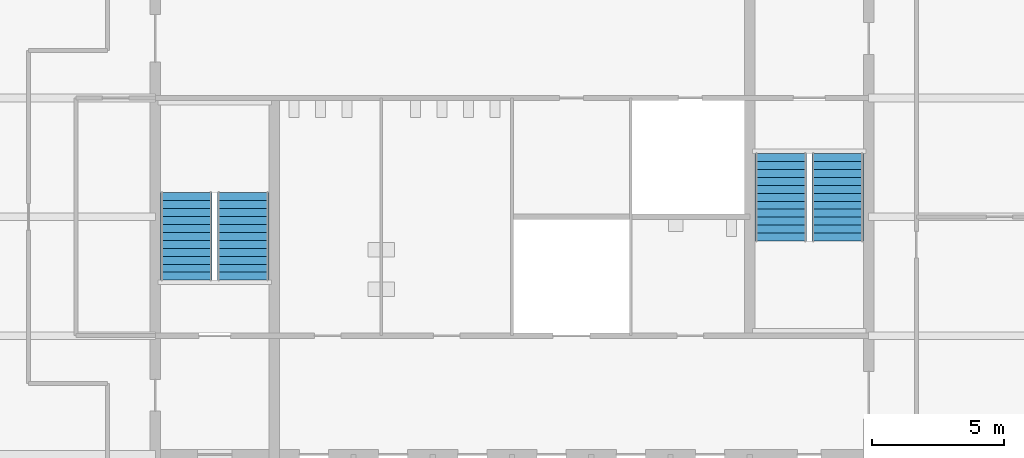
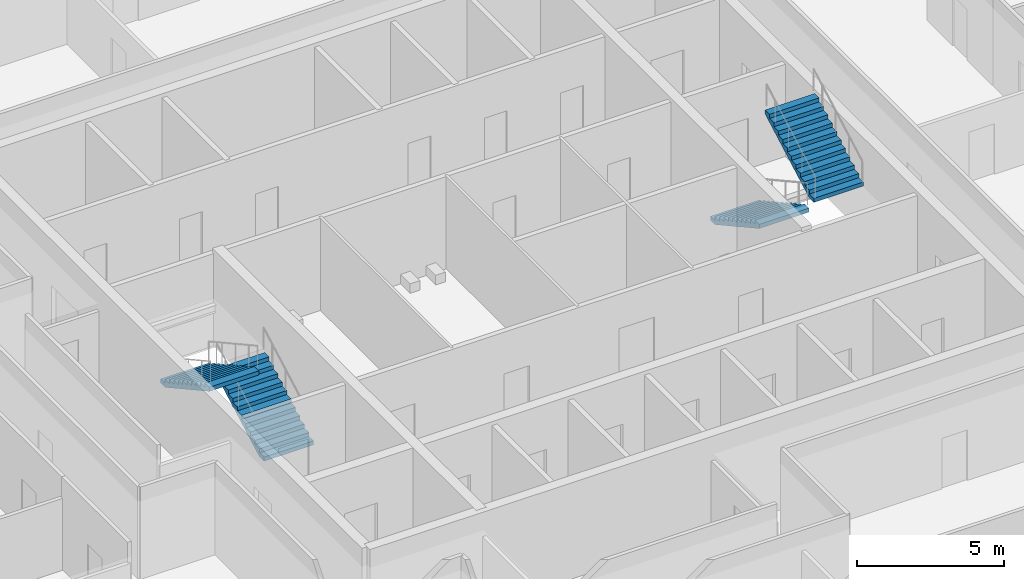
# One storey, part 12 of 14: 4 stair flights, 2 elements without a shape of their own.
"""IFC4 building model written with IfcOpenShell, lengths in metres."""

import ifcopenshell
import ifcopenshell.guid

model = None  # the IFC model being written
_history = None  # IfcOwnerHistory: only IFC2X3 demands one
_inside = {}  # id of a spatial element -> (the spatial element, [elements in it])
_under = {}  # id of a project, library or spatial element -> (it, [spatial elements below it])
_declared = {}  # id of a project -> (the project, [libraries it declares])
_typed = {}  # id of a type object -> (the type object, [elements of that type])
_made_of = {}  # id of a material, layer set ... -> (it, [elements and type objects made of it])


def new_model(schema):
    """Start an empty IFC model of exactly this schema.

    Asked for "IFC4X3", IfcOpenShell would pick the latest addendum, in which some entities
    have other attributes; the version numbers below select the first issue.
    IFC2X3 requires an IfcOwnerHistory on every rooted entity: one is made here for all.
    """
    global model, _history
    if schema == "IFC4X3":
        model = ifcopenshell.file(schema_version=(4, 3, 0, 0))
    else:
        model = ifcopenshell.file(schema=schema)
    _inside.clear()
    _under.clear()
    _declared.clear()
    _typed.clear()
    _made_of.clear()
    _history = None
    if model.schema == "IFC2X3":
        org = make("IfcOrganization", Name="unknown")
        user = make(
            "IfcPersonAndOrganization",
            ThePerson=make("IfcPerson", FamilyName="unknown"),
            TheOrganization=org,
        )
        app = make(
            "IfcApplication",
            ApplicationDeveloper=org,
            Version="unknown",
            ApplicationFullName="unknown",
            ApplicationIdentifier="unknown",
        )
        _history = make(
            "IfcOwnerHistory",
            OwningUser=user,
            OwningApplication=app,
            ChangeAction="ADDED",
            CreationDate=0,
        )
    return model


def make(cls, **values):
    """One entity of the class cls with the attributes given. An attribute that is None is left unset."""
    return model.create_entity(
        cls, **{name: value for name, value in values.items() if value is not None}
    )


def rooted(cls, **values):
    """An entity with a GlobalId (a new one), such as an element, a storey or a relation."""
    return make(cls, GlobalId=ifcopenshell.guid.new(), OwnerHistory=_history, **values)


def si_unit(unit_type, name, prefix=None):
    """IfcSIUnit, for example si_unit("LENGTHUNIT", "METRE", prefix="MILLI")."""
    return make("IfcSIUnit", UnitType=unit_type, Prefix=prefix, Name=name)


def assignment(units):
    """IfcUnitAssignment: the units of a project."""
    return None if units is None else make("IfcUnitAssignment", Units=units)


def point(xyz):
    """IfcCartesianPoint."""
    return None if xyz is None else make("IfcCartesianPoint", Coordinates=xyz)


def direction(xyz):
    """IfcDirection."""
    return None if xyz is None else make("IfcDirection", DirectionRatios=xyz)


def frame(location, z_axis=None, x_axis=None):
    """IfcAxis2Placement3D, a coordinate frame: its origin and axes. An axis left out is left unset."""
    return make(
        "IfcAxis2Placement3D",
        Location=point(location),
        Axis=direction(z_axis),
        RefDirection=direction(x_axis),
    )


def origin():
    """The frame at (0, 0, 0) with its axes left unset."""
    return frame((0.0, 0.0, 0.0))


def place(relative_to, where):
    """IfcLocalPlacement: puts the frame where relative to a parent placement (None: the world)."""
    return make(
        "IfcLocalPlacement", PlacementRelTo=relative_to, RelativePlacement=where
    )


def context(
    kind, dimensions, precision=None, world=None, true_north=None, identifier=None
):
    """IfcGeometricRepresentationContext, for example the 3D "Model" context."""
    return make(
        "IfcGeometricRepresentationContext",
        ContextIdentifier=identifier,
        ContextType=kind,
        CoordinateSpaceDimension=dimensions,
        Precision=precision,
        WorldCoordinateSystem=world,
        TrueNorth=true_north,
    )


def subcontext(parent, identifier, kind, view, scale=None):
    """IfcGeometricRepresentationSubContext, for example "Body" below "Model"."""
    return make(
        "IfcGeometricRepresentationSubContext",
        ContextIdentifier=identifier,
        ContextType=kind,
        ParentContext=parent,
        TargetScale=scale,
        TargetView=view,
    )


def project(units=None, contexts=None):
    """IfcProject with its units and contexts."""
    return rooted(
        "IfcProject",
        Name="project",
        RepresentationContexts=contexts,
        UnitsInContext=assignment(units),
    )


def spatial(cls, under=None, at=None, **own):
    """A site, building, storey or space (cls), placed at a placement, below another one or the project."""
    s = rooted(cls, ObjectPlacement=at, **own)
    if under is not None:
        _under.setdefault(under.id(), (under, []))[1].append(s)
    return s


def polyline(points):
    """IfcPolyline through the points."""
    return make("IfcPolyline", Points=[point(p) for p in points])


def outline(outer, holes=None, kind="AREA"):
    """IfcArbitraryClosedProfileDef: a profile drawn as a closed curve; with holes, ...WithVoids."""
    if holes is None:
        return make("IfcArbitraryClosedProfileDef", ProfileType=kind, OuterCurve=outer)
    return make(
        "IfcArbitraryProfileDefWithVoids",
        ProfileType=kind,
        OuterCurve=outer,
        InnerCurves=holes,
    )


def extrude(swept, where, along, depth):
    """IfcExtrudedAreaSolid: the profile swept, set in the frame where, extruded along a direction by depth."""
    return make(
        "IfcExtrudedAreaSolid",
        SweptArea=swept,
        Position=where,
        ExtrudedDirection=direction(along),
        Depth=depth,
    )


def shape(context_of_items, identifier, shape_type, items):
    """IfcShapeRepresentation: the items that make up one representation, for example the "Body"."""
    return make(
        "IfcShapeRepresentation",
        ContextOfItems=context_of_items,
        RepresentationIdentifier=identifier,
        RepresentationType=shape_type,
        Items=items,
    )


def material(Name=None, Category=None):
    """IfcMaterial."""
    return make("IfcMaterial", Name=Name, Category=Category)


def made_of(thing, what):
    """Note that an element or type object is made of a material, layer set ...; save() writes the relation."""
    if what is not None:
        _made_of.setdefault(what.id(), (what, []))[1].append(thing)
    return thing


def type_object(cls, material=None, **own):
    """A type object (cls), such as IfcWallType, which elements share."""
    return made_of(rooted(cls, **own), material)


def element(
    cls,
    number,
    at=None,
    inside=None,
    cuts=None,
    type_object=None,
    material=None,
    context=None,
    identifier="Body",
    shape_type=None,
    held_by="IfcProductDefinitionShape",
    body=None,
    shapes=None,
    **own,
):
    """One element of the class cls, such as IfcWall. Its Tag is "e" and its number.

    at: its placement. inside: the storey or other place that contains it. cuts: it is an
    opening in that element (IfcRelVoidsElement). A single representation is given by context,
    identifier, shape_type and body (its items); several are given by shapes. held_by: the class
    of the entity that holds the representations. save() writes the other relations.
    """
    e = rooted(cls, Tag="e%d" % number, ObjectPlacement=at, **own)
    if body is not None:
        shapes = [shape(context, identifier, shape_type, body)]
    if shapes is not None:
        e.Representation = make(held_by, Representations=shapes)
    if inside is not None:
        _inside.setdefault(inside.id(), (inside, []))[1].append(e)
    if cuts is not None:
        rooted(
            "IfcRelVoidsElement", RelatingBuildingElement=cuts, RelatedOpeningElement=e
        )
    if type_object is not None:
        _typed.setdefault(type_object.id(), (type_object, []))[1].append(e)
    return made_of(e, material)


def aggregate(whole, parts):
    """IfcRelAggregates: a whole, such as a stair, and the parts it consists of."""
    return rooted("IfcRelAggregates", RelatingObject=whole, RelatedObjects=parts)


def save(model, path):
    """Write the relations noted so far, then the file.

    IfcRelAggregates (storeys below a building ...), IfcRelContainedInSpatialStructure (elements
    in a storey), IfcRelDefinesByType, IfcRelAssociatesMaterial and IfcRelDeclares: one each for
    every whole, place, type object, material and project.
    """
    for whole, parts in _under.values():
        aggregate(whole, parts)
    for where, things in _inside.values():
        rooted(
            "IfcRelContainedInSpatialStructure",
            RelatedElements=things,
            RelatingStructure=where,
        )
    for kind, things in _typed.values():
        rooted("IfcRelDefinesByType", RelatedObjects=things, RelatingType=kind)
    for what, things in _made_of.values():
        rooted("IfcRelAssociatesMaterial", RelatedObjects=things, RelatingMaterial=what)
    for by, libraries in _declared.values():
        rooted("IfcRelDeclares", RelatingContext=by, RelatedDefinitions=libraries)
    model.write(path)


model = new_model("IFC4")

# Units and contexts
model_context = context("Model", 3, precision=1e-05, world=origin(), true_north=direction((0.0, 1.0)))
body_context = subcontext(model_context, "Body", "Model", "MODEL_VIEW")
ifc_project = project(units=[si_unit("LENGTHUNIT", "METRE"), si_unit("AREAUNIT", "SQUARE_METRE"), si_unit("VOLUMEUNIT", "CUBIC_METRE"), si_unit("PLANEANGLEUNIT", "RADIAN"), si_unit("MASSUNIT", "GRAM", prefix="KILO")], contexts=[model_context])

# Site, building, storey
site_placement = place(None, origin())
site = spatial("IfcSite", under=ifc_project, at=site_placement, CompositionType="ELEMENT")
building_placement = place(site_placement, origin())
building = spatial("IfcBuilding", under=site, at=building_placement, Name="Corais Broadcast Tower", CompositionType="ELEMENT")
storey_placement = place(building_placement, frame((0.0, 0.0, 298.60009765625)))
storey = spatial("IfcBuildingStorey", under=building, at=storey_placement, Name="L70", CompositionType="ELEMENT", Elevation=298.60009765625)

# Stair, stair flights
ifc_material_1 = material(Name="Concrete C30/37", Category="concrete")
stair_type = type_object("IfcStairType", Name="Half-turn stair 4000", PredefinedType="HALF_TURN_STAIR", material=ifc_material_1)
stair_1_placement = place(storey_placement, origin())
stair_1 = element("IfcStair", 1, at=stair_1_placement, inside=storey, type_object=stair_type, Name="Stair A L70", PredefinedType="HALF_TURN_STAIR")
ifc_material_2 = material(Name="Concrete C30/37", Category="concrete")
stair_flight_type = type_object("IfcStairFlightType", Name="Stair flight 4000", PredefinedType="STRAIGHT", material=ifc_material_2)
stair_flight_1_placement = place(storey_placement, frame((16.824951171875, 24.60009765625, 0.0), z_axis=(0.0, 0.0, 1.0), x_axis=(0.0, 1.0, 0.0)))
stair_flight_1 = element("IfcStairFlight", 2, at=stair_flight_1_placement, type_object=stair_flight_type, Name="STA flight 1", NumberOfRisers=12, NumberOfTreads=11, PredefinedType="STRAIGHT", RiserHeight=0.166666667, TreadLength=0.302, context=body_context, shape_type="SweptSolid", body=[
    extrude(outline(polyline([(0.0, 0.0), (0.0, 0.166748046875), (0.302001953125, 0.166748046875), (0.302001953125, 0.333251953125), (0.60400390625, 0.333251953125), (0.60400390625, 0.5), (0.906005859375, 0.5), (0.906005859375, 0.666748046875), (1.2080078125, 0.666748046875), (1.2080078125, 0.833251953125), (1.510009765625, 0.833251953125), (1.510009765625, 1.0), (1.81201171875, 1.0), (1.81201171875, 1.166748046875), (2.114013671875, 1.166748046875), (2.114013671875, 1.333251953125), (2.416015625, 1.333251953125), (2.416015625, 1.5), (2.718017578125, 1.5), (2.718017578125, 1.666748046875), (3.02001953125, 1.666748046875), (3.02001953125, 1.833251953125), (3.322021484375, 1.833251953125), (3.322021484375, 2.0), (3.322021484375, 1.662109375), (0.310302734375, 0.0), (0.0, 0.0)])), frame((0.0, 0.97509765625, 0.0), z_axis=(0.0, -1.0, 0.0), x_axis=(1.0, 0.0, 0.0)), (0.0, 0.0, 1.0), 1.949951171875),
])
stair_flight_2_placement = place(storey_placement, frame((14.675048828125, 27.922119140625, 2.0), z_axis=(0.0, 0.0, 1.0), x_axis=(0.0, -1.0, 0.0)))
stair_flight_2 = element("IfcStairFlight", 3, at=stair_flight_2_placement, type_object=stair_flight_type, Name="STA flight 2", NumberOfRisers=12, NumberOfTreads=11, PredefinedType="STRAIGHT", RiserHeight=0.166666667, TreadLength=0.302, context=body_context, shape_type="SweptSolid", body=[
    extrude(outline(polyline([(0.0, 0.0), (0.0, 0.166748046875), (0.302001953125, 0.166748046875), (0.302001953125, 0.333251953125), (0.60400390625, 0.333251953125), (0.60400390625, 0.5), (0.906005859375, 0.5), (0.906005859375, 0.666748046875), (1.2080078125, 0.666748046875), (1.2080078125, 0.833251953125), (1.510009765625, 0.833251953125), (1.510009765625, 1.0), (1.81201171875, 1.0), (1.81201171875, 1.166748046875), (2.114013671875, 1.166748046875), (2.114013671875, 1.333251953125), (2.416015625, 1.333251953125), (2.416015625, 1.5), (2.718017578125, 1.5), (2.718017578125, 1.666748046875), (3.02001953125, 1.666748046875), (3.02001953125, 1.833251953125), (3.322021484375, 1.833251953125), (3.322021484375, 2.0), (3.322021484375, 1.662109375), (0.310302734375, 0.0), (0.0, 0.0)])), frame((0.0, 0.97509765625, 0.0), z_axis=(0.0, -1.0, 0.0), x_axis=(1.0, 0.0, 0.0)), (0.0, 0.0, 1.0), 1.949951171875),
])
aggregate(stair_1, [stair_flight_1, stair_flight_2])

stair_2_placement = place(storey_placement, origin())
stair_2 = element("IfcStair", 4, at=stair_2_placement, inside=storey, type_object=stair_type, Name="Stair B L70", PredefinedType="HALF_TURN_STAIR")
stair_flight_3_placement = place(storey_placement, frame((37.175048828125, 29.39990234375, 0.0), z_axis=(0.0, 0.0, 1.0), x_axis=(0.0, -1.0, 0.0)))
stair_flight_3 = element("IfcStairFlight", 5, at=stair_flight_3_placement, type_object=stair_flight_type, Name="STB flight 1", NumberOfRisers=12, NumberOfTreads=11, PredefinedType="STRAIGHT", RiserHeight=0.166666667, TreadLength=0.302, context=body_context, shape_type="SweptSolid", body=[
    extrude(outline(polyline([(0.0, 0.0), (0.0, 0.166748046875), (0.302001953125, 0.166748046875), (0.302001953125, 0.333251953125), (0.60400390625, 0.333251953125), (0.60400390625, 0.5), (0.906005859375, 0.5), (0.906005859375, 0.666748046875), (1.2080078125, 0.666748046875), (1.2080078125, 0.833251953125), (1.510009765625, 0.833251953125), (1.510009765625, 1.0), (1.81201171875, 1.0), (1.81201171875, 1.166748046875), (2.114013671875, 1.166748046875), (2.114013671875, 1.333251953125), (2.416015625, 1.333251953125), (2.416015625, 1.5), (2.718017578125, 1.5), (2.718017578125, 1.666748046875), (3.02001953125, 1.666748046875), (3.02001953125, 1.833251953125), (3.322021484375, 1.833251953125), (3.322021484375, 2.0), (3.322021484375, 1.662109375), (0.310302734375, 0.0), (0.0, 0.0)])), frame((0.0, 0.97509765625, 0.0), z_axis=(0.0, -1.0, 0.0), x_axis=(1.0, 0.0, 0.0)), (0.0, 0.0, 1.0), 1.949951171875),
])
stair_flight_4_placement = place(storey_placement, frame((39.324951171875, 26.077880859375, 2.0), z_axis=(0.0, 0.0, 1.0), x_axis=(0.0, 1.0, 0.0)))
stair_flight_4 = element("IfcStairFlight", 6, at=stair_flight_4_placement, type_object=stair_flight_type, Name="STB flight 2", NumberOfRisers=12, NumberOfTreads=11, PredefinedType="STRAIGHT", RiserHeight=0.166666667, TreadLength=0.302, context=body_context, shape_type="SweptSolid", body=[
    extrude(outline(polyline([(0.0, 0.0), (0.0, 0.166748046875), (0.302001953125, 0.166748046875), (0.302001953125, 0.333251953125), (0.60400390625, 0.333251953125), (0.60400390625, 0.5), (0.906005859375, 0.5), (0.906005859375, 0.666748046875), (1.2080078125, 0.666748046875), (1.2080078125, 0.833251953125), (1.510009765625, 0.833251953125), (1.510009765625, 1.0), (1.81201171875, 1.0), (1.81201171875, 1.166748046875), (2.114013671875, 1.166748046875), (2.114013671875, 1.333251953125), (2.416015625, 1.333251953125), (2.416015625, 1.5), (2.718017578125, 1.5), (2.718017578125, 1.666748046875), (3.02001953125, 1.666748046875), (3.02001953125, 1.833251953125), (3.322021484375, 1.833251953125), (3.322021484375, 2.0), (3.322021484375, 1.662109375), (0.310302734375, 0.0), (0.0, 0.0)])), frame((0.0, 0.97509765625, 0.0), z_axis=(0.0, -1.0, 0.0), x_axis=(1.0, 0.0, 0.0)), (0.0, 0.0, 1.0), 1.949951171875),
])
aggregate(stair_2, [stair_flight_3, stair_flight_4])

save(model, "model.ifc")
